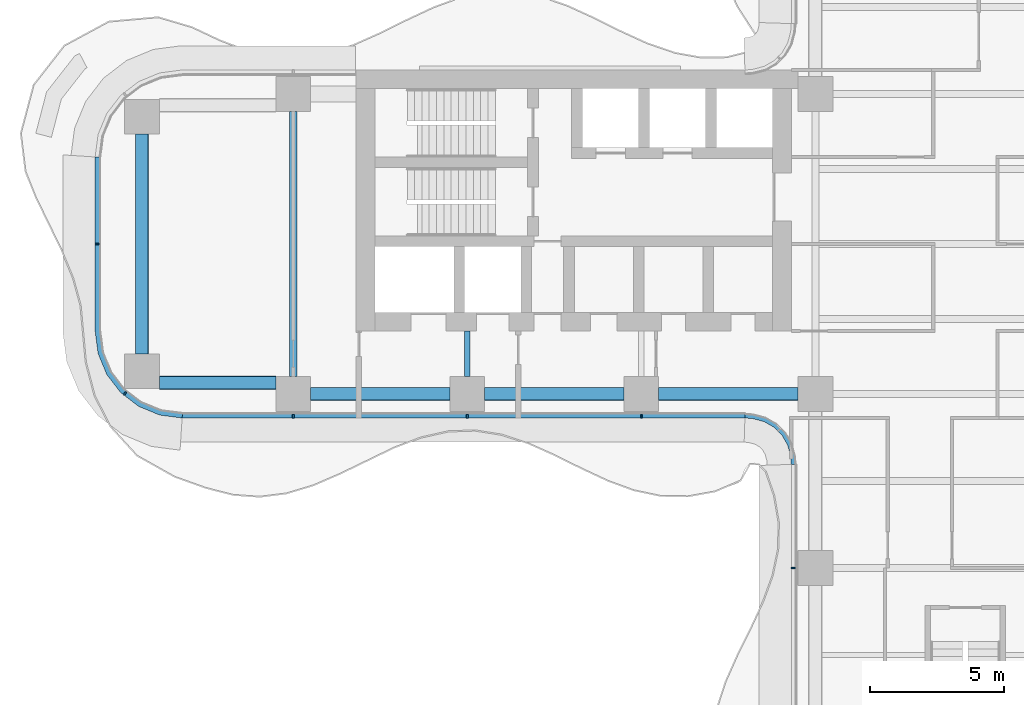
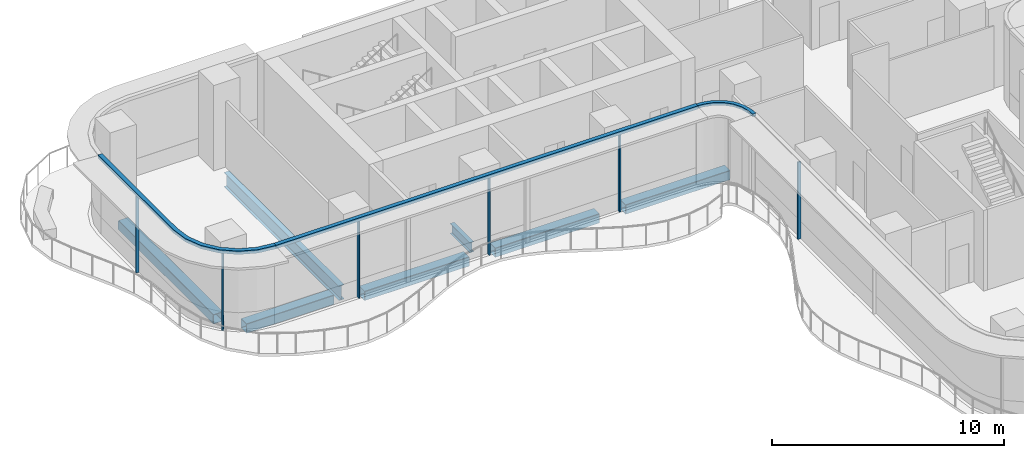
# One storey, part 3 of 21: 9 members, 7 beams, 4 elements without a shape of their own.
"""IFC4 building model written with IfcOpenShell, lengths in metres."""

from ifc_helpers import new_model, si_unit, direction, frame, origin, origin_2d, place, context, subcontext, project, spatial, polyline, rectangle, hollow_rectangle, i_section, outline, extrude, source, transform, mapped, material, layer, layer_set, material_profile, profile_set, type_object, element, aggregate, save


model = new_model("IFC4")

# Units and contexts
model_context = context("Model", 3, precision=1e-05, world=origin(), true_north=direction((0.0, 1.0)))
body_context = subcontext(model_context, "Body", "Model", "MODEL_VIEW")
ifc_project = project(units=[si_unit("LENGTHUNIT", "METRE"), si_unit("AREAUNIT", "SQUARE_METRE"), si_unit("VOLUMEUNIT", "CUBIC_METRE"), si_unit("PLANEANGLEUNIT", "RADIAN"), si_unit("MASSUNIT", "GRAM", prefix="KILO")], contexts=[model_context])

# Site, building, storey
site_placement = place(None, origin())
site = spatial("IfcSite", under=ifc_project, at=site_placement, CompositionType="ELEMENT")
building_placement = place(site_placement, origin())
building = spatial("IfcBuilding", under=site, at=building_placement, Name="Trellis Farm Tower", CompositionType="ELEMENT")
storey_placement = place(building_placement, frame((0.0, 0.0, 97.5)))
storey = spatial("IfcBuildingStorey", under=building, at=storey_placement, Name="L20", CompositionType="ELEMENT", Elevation=97.5)

# Beams
ifc_material_1 = material(Name="Steel S355", Category="steel")
ifc_material_profile_1 = material_profile(ifc_material_1, hollow_rectangle(XDim=0.5, YDim=0.5, WallThickness=0.02001953125, InnerFilletRadius=0.02001953125, OuterFilletRadius=0.030029296875, at=origin_2d()), Name="SHS 500x500x20")
ifc_profile_set_1 = profile_set([ifc_material_profile_1], Name="Steel S355")
beam_type_1 = type_object("IfcBeamType", Name="SHS 500x500x20", PredefinedType="BEAM", material=ifc_profile_set_1)
shared_shape_1 = source(origin(), body_context, "Body", "SweptSolid", [
    extrude(hollow_rectangle(XDim=0.5, YDim=0.5, WallThickness=0.02001953125, InnerFilletRadius=0.02001953125, OuterFilletRadius=0.030029296875, at=origin_2d()), origin(), (0.0, 0.0, 1.0), 5.199951171875),
])
for number, where, z_axis, x_axis, name in (
    (1, (-24.449951171875, -5.60009765625, -0.5), (1.0, 0.0, 0.0), (0.0, 1.0, 0.0), "Girder"),
    (2, (-17.949951171875, -5.60009765625, -0.5), (1.0, 0.0, 0.0), (0.0, 1.0, 0.0), "Girder"),
    (3, (-11.449951171875, -5.60009765625, -0.5), (1.0, 0.0, 0.0), (0.0, 1.0, 0.0), "Girder"),
):
    element("IfcBeam", number, at=place(storey_placement, frame(where, z_axis=z_axis, x_axis=x_axis)), inside=storey, type_object=beam_type_1, Name=name, PredefinedType="BEAM", context=body_context, shape_type="MappedRepresentation", body=[
        mapped(shared_shape_1, transform((0.0, 0.0, 0.0))),
    ])
ifc_material_profile_2 = material_profile(ifc_material_1, i_section(OverallWidth=0.2666015625, OverallDepth=0.76220703125, WebThickness=0.014404296875, FlangeThickness=0.021484375, FilletRadius=0.0166015625, at=origin_2d()), Name="UB 762x267x173")
ifc_profile_set_2 = profile_set([ifc_material_profile_2], Name="Steel S355")
beam_type_2 = type_object("IfcBeamType", Name="UB 762x267x173", PredefinedType="BEAM", material=ifc_profile_set_2)
shared_shape_2 = source(origin(), body_context, "Body", "SweptSolid", [
    extrude(i_section(OverallWidth=0.2666015625, OverallDepth=0.76220703125, WebThickness=0.014404296875, FlangeThickness=0.021484375, FilletRadius=0.0166015625, at=origin_2d()), origin(), (0.0, 0.0, 1.0), 9.89990234375),
])
beam_1_placement = place(storey_placement, frame((-25.10009765625, -4.949951171875, -0.631103515625), z_axis=(0.0, 1.0, 0.0), x_axis=(-1.0, 0.0, 0.0)))
element("IfcBeam", 4, at=beam_1_placement, inside=storey, type_object=beam_type_2, Name="Girder", PredefinedType="BEAM", context=body_context, shape_type="MappedRepresentation", body=[
    mapped(shared_shape_2, transform((0.0, 0.0, 0.0))),
])
shared_shape_3 = source(origin(), body_context, "Body", "SweptSolid", [
    extrude(hollow_rectangle(XDim=0.5, YDim=0.5, WallThickness=0.02001953125, InnerFilletRadius=0.02001953125, OuterFilletRadius=0.030029296875, at=origin_2d()), origin(), (0.0, 0.0, 1.0), 4.35009765625),
])
beam_2_placement = place(storey_placement, frame((-30.10009765625, -5.175048828125, -0.5), z_axis=(1.0, 0.0, 0.0), x_axis=(0.0, 1.0, 0.0)))
element("IfcBeam", 5, at=beam_2_placement, inside=storey, type_object=beam_type_1, Name="Girder", PredefinedType="BEAM", context=body_context, shape_type="MappedRepresentation", body=[
    mapped(shared_shape_3, transform((0.0, 0.0, 0.0))),
])
shared_shape_4 = source(origin(), body_context, "Body", "SweptSolid", [
    extrude(hollow_rectangle(XDim=0.5, YDim=0.5, WallThickness=0.02001953125, InnerFilletRadius=0.02001953125, OuterFilletRadius=0.030029296875, at=origin_2d()), origin(), (0.0, 0.0, 1.0), 8.2001953125),
])
beam_3_placement = place(storey_placement, frame((-30.75, -4.10009765625, -0.5), z_axis=(0.0, 1.0, 0.0), x_axis=(-1.0, 0.0, 0.0)))
element("IfcBeam", 6, at=beam_3_placement, inside=storey, type_object=beam_type_1, Name="Girder", PredefinedType="BEAM", context=body_context, shape_type="MappedRepresentation", body=[
    mapped(shared_shape_4, transform((0.0, 0.0, 0.0))),
])
ifc_material_profile_3 = material_profile(ifc_material_1, i_section(OverallWidth=0.209228515625, OverallDepth=0.533203125, WebThickness=0.010009765625, FlangeThickness=0.015625, FilletRadius=0.0126953125, at=origin_2d()), Name="UB 533x210x92")
ifc_profile_set_3 = profile_set([ifc_material_profile_3], Name="Steel S355")
beam_type_3 = type_object("IfcBeamType", Name="UB 533x210x92", PredefinedType="BEAM", material=ifc_profile_set_3)
shared_shape_5 = source(origin(), body_context, "Body", "SweptSolid", [
    extrude(i_section(OverallWidth=0.209228515625, OverallDepth=0.533203125, WebThickness=0.010009765625, FlangeThickness=0.015625, FilletRadius=0.0126953125, at=origin_2d()), origin(), (0.0, 0.0, 1.0), 1.699951171875),
])
beam_4_placement = place(storey_placement, frame((-18.60009765625, -4.949951171875, -0.5166015625), z_axis=(0.0, 1.0, 0.0), x_axis=(-1.0, 0.0, 0.0)))
element("IfcBeam", 7, at=beam_4_placement, inside=storey, type_object=beam_type_3, Name="Girder", PredefinedType="BEAM", context=body_context, shape_type="MappedRepresentation", body=[
    mapped(shared_shape_5, transform((0.0, 0.0, 0.0))),
])

# Curtain wall, members
ifc_material_2 = material(Name="Aluminium and glass curtain wall", Category="aluminium")
ifc_layer_1 = layer(ifc_material_2, 0.18994140625)
ifc_layer_set_1 = layer_set([ifc_layer_1], Name="RIBBON CURTAIN WALL CW1")
curtain_wall_type_1 = type_object("IfcCurtainWallType", Name="RIBBON CURTAIN WALL CW1", PredefinedType="NOTDEFINED", material=ifc_layer_set_1)
placement_1 = place(storey_placement, origin())
curtain_wall_1 = element("IfcCurtainWall", 8, at=placement_1, inside=storey, type_object=curtain_wall_type_1, Name="CW1 001", PredefinedType="NOTDEFINED")
ifc_material_3 = material(Name="Aluminium extrusion 6063-T6", Category="aluminium")
ifc_material_profile_4 = material_profile(ifc_material_3, rectangle(XDim=0.06005859375, YDim=0.14990234375, at=origin_2d()), Name="MULLION 60x150")
ifc_profile_set_4 = profile_set([ifc_material_profile_4], Name="Aluminium extrusion 6063-T6")
member_type_1 = type_object("IfcMemberType", Name="CW1 MULLION 60x150", PredefinedType="MULLION", material=ifc_profile_set_4)
shared_shape_6 = source(origin(), body_context, "Body", "SweptSolid", [
    extrude(rectangle(XDim=0.06005859375, YDim=0.14990234375, at=origin_2d()), origin(), (0.0, 0.0, 1.0), 4.070068359375),
])
member_1_placement = place(storey_placement, frame((-25.10009765625, -6.425048828125, 0.0), z_axis=(0.0, 0.0, 1.0), x_axis=(1.0, 0.0, 0.0)))
member_1 = element("IfcMember", 9, at=member_1_placement, type_object=member_type_1, Name="MU1 001-01", PredefinedType="MULLION", context=body_context, shape_type="MappedRepresentation", body=[
    mapped(shared_shape_6, transform((0.0, 0.0, 0.0))),
])
member_2_placement = place(storey_placement, frame((-18.60009765625, -6.425048828125, 0.0), z_axis=(0.0, 0.0, 1.0), x_axis=(1.0, 0.0, 0.0)))
member_2 = element("IfcMember", 10, at=member_2_placement, type_object=member_type_1, Name="MU1 001-02", PredefinedType="MULLION", context=body_context, shape_type="MappedRepresentation", body=[
    mapped(shared_shape_6, transform((0.0, 0.0, 0.0))),
])
member_3_placement = place(storey_placement, frame((-12.10009765625, -6.425048828125, 0.0), z_axis=(0.0, 0.0, 1.0), x_axis=(1.0, 0.0, 0.0)))
member_3 = element("IfcMember", 11, at=member_3_placement, type_object=member_type_1, Name="MU1 001-03", PredefinedType="MULLION", context=body_context, shape_type="MappedRepresentation", body=[
    mapped(shared_shape_6, transform((0.0, 0.0, 0.0))),
])

# Curtain wall, member
curtain_wall_2 = element("IfcCurtainWall", 12, at=placement_1, inside=storey, type_object=curtain_wall_type_1, Name="CW1 002", PredefinedType="NOTDEFINED")
member_4_placement = place(storey_placement, frame((-6.425048828125, -12.10009765625, 0.0), z_axis=(0.0, 0.0, 1.0), x_axis=(0.0, -1.0, 0.0)))
member_4 = element("IfcMember", 13, at=member_4_placement, type_object=member_type_1, Name="MU1 002-01", PredefinedType="MULLION", context=body_context, shape_type="MappedRepresentation", body=[
    mapped(shared_shape_6, transform((0.0, 0.0, 0.0))),
])
aggregate(curtain_wall_2, [member_4])

# Curtain wall, members
curtain_wall_3 = element("IfcCurtainWall", 14, at=placement_1, inside=storey, type_object=curtain_wall_type_1, Name="CW1 014", PredefinedType="NOTDEFINED")
member_5_placement = place(storey_placement, frame((-32.425048828125, 0.0, 0.0), z_axis=(0.0, 0.0, 1.0), x_axis=(0.0, -1.0, 0.0)))
member_5 = element("IfcMember", 15, at=member_5_placement, type_object=member_type_1, Name="MU1 014-01", PredefinedType="MULLION", context=body_context, shape_type="MappedRepresentation", body=[
    mapped(shared_shape_6, transform((0.0, 0.0, 0.0))),
])
member_6_placement = place(storey_placement, frame((-31.385498046875, -5.578369140625, 0.0), z_axis=(0.0, 0.0, 1.0), x_axis=(0.793353340291, -0.608761429009, 0.0)))
member_6 = element("IfcMember", 16, at=member_6_placement, type_object=member_type_1, Name="MU1 014-02", PredefinedType="MULLION", context=body_context, shape_type="MappedRepresentation", body=[
    mapped(shared_shape_6, transform((0.0, 0.0, 0.0))),
])

# Member
ifc_layer_2 = layer(ifc_material_3, 0.199951171875)
ifc_layer_set_2 = layer_set([ifc_layer_2], Name="Aluminium extrusion 6063-T6")
member_type_2 = type_object("IfcMemberType", Name="CW1 TRANSOM 200x180", PredefinedType="USERDEFINED", material=ifc_layer_set_2)
shared_shape_7 = source(origin(), body_context, "Body", "SweptSolid", [
    extrude(outline(polyline([(-29.25, -6.5), (-8.2314453125, -6.5), (-8.224853515625, -6.300048828125), (-29.23681640625, -6.300048828125), (-29.25, -6.5)])), origin(), (0.0, 0.0, 1.0), 0.179931640625),
])
placement_2 = place(storey_placement, frame((0.0, 0.0, 4.070068359375)))
member_7 = element("IfcMember", 17, at=placement_2, type_object=member_type_2, Name="TR1 001", ObjectType="TRANSOM", PredefinedType="USERDEFINED", context=body_context, shape_type="MappedRepresentation", body=[
    mapped(shared_shape_7, transform((0.0, 0.0, 0.0))),
])

aggregate(curtain_wall_1, [member_1, member_2, member_3, member_7])

# Curtain wall, member
ifc_layer_3 = layer(ifc_material_2, 0.166015625)
ifc_layer_set_3 = layer_set([ifc_layer_3], Name="WINTER GARDEN CURTAIN WALL CW3")
curtain_wall_type_2 = type_object("IfcCurtainWallType", Name="WINTER GARDEN CURTAIN WALL CW3", PredefinedType="NOTDEFINED", material=ifc_layer_set_3)
curtain_wall_4 = element("IfcCurtainWall", 18, at=placement_1, inside=storey, type_object=curtain_wall_type_2, Name="CW3 001", PredefinedType="NOTDEFINED")
ifc_layer_4 = layer(ifc_material_3, 0.169921875)
ifc_layer_set_4 = layer_set([ifc_layer_4], Name="Aluminium extrusion 6063-T6")
member_type_3 = type_object("IfcMemberType", Name="CW3 TRANSOM 170x150", PredefinedType="USERDEFINED", material=ifc_layer_set_4)
shared_shape_8 = source(origin(), body_context, "Body", "SweptSolid", [
    extrude(outline(polyline([(-8.2314453125, -6.5), (-8.01953125, -6.513916015625), (-7.91552734375, -6.527587890625), (-7.508544921875, -6.63671875), (-7.144287109375, -6.846923828125), (-6.846923828125, -7.144287109375), (-6.63671875, -7.508544921875), (-6.527587890625, -7.91552734375), (-6.513916015625, -8.01953125), (-6.5, -8.2314453125), (-6.330078125, -8.225830078125), (-6.3447265625, -8.0029296875), (-6.360595703125, -7.88232421875), (-6.478271484375, -7.44287109375), (-6.7109375, -7.0400390625), (-7.0400390625, -6.7109375), (-7.44287109375, -6.478271484375), (-7.88232421875, -6.360595703125), (-8.0029296875, -6.3447265625), (-8.225830078125, -6.330078125), (-8.2314453125, -6.5)])), origin(), (0.0, 0.0, 1.0), 0.14990234375),
])
member_8_placement = place(storey_placement, frame((0.0, 0.0, 4.10009765625)))
member_8 = element("IfcMember", 19, at=member_8_placement, type_object=member_type_3, Name="TR3 001", ObjectType="TRANSOM", PredefinedType="USERDEFINED", context=body_context, shape_type="MappedRepresentation", body=[
    mapped(shared_shape_8, transform((0.0, 0.0, 0.0))),
])
aggregate(curtain_wall_4, [member_8])

# Member
shared_shape_9 = source(origin(), body_context, "Body", "SweptSolid", [
    extrude(outline(polyline([(-32.5, 3.25), (-32.5, -3.25), (-32.38916015625, -4.091064453125), (-32.064697265625, -4.875), (-31.548095703125, -5.548095703125), (-30.875, -6.064697265625), (-30.091064453125, -6.38916015625), (-29.25, -6.5), (-29.23681640625, -6.300048828125), (-30.0390625, -6.1943359375), (-30.774169921875, -5.889892578125), (-31.405517578125, -5.405517578125), (-31.889892578125, -4.774169921875), (-32.1943359375, -4.0390625), (-32.300048828125, -3.23681640625), (-32.300048828125, 3.23681640625), (-32.5, 3.25)])), origin(), (0.0, 0.0, 1.0), 0.179931640625),
])
member_9 = element("IfcMember", 20, at=placement_2, type_object=member_type_2, Name="TR1 014", ObjectType="TRANSOM", PredefinedType="USERDEFINED", context=body_context, shape_type="MappedRepresentation", body=[
    mapped(shared_shape_9, transform((0.0, 0.0, 0.0))),
])

aggregate(curtain_wall_3, [member_5, member_6, member_9])

save(model, "model.ifc")
